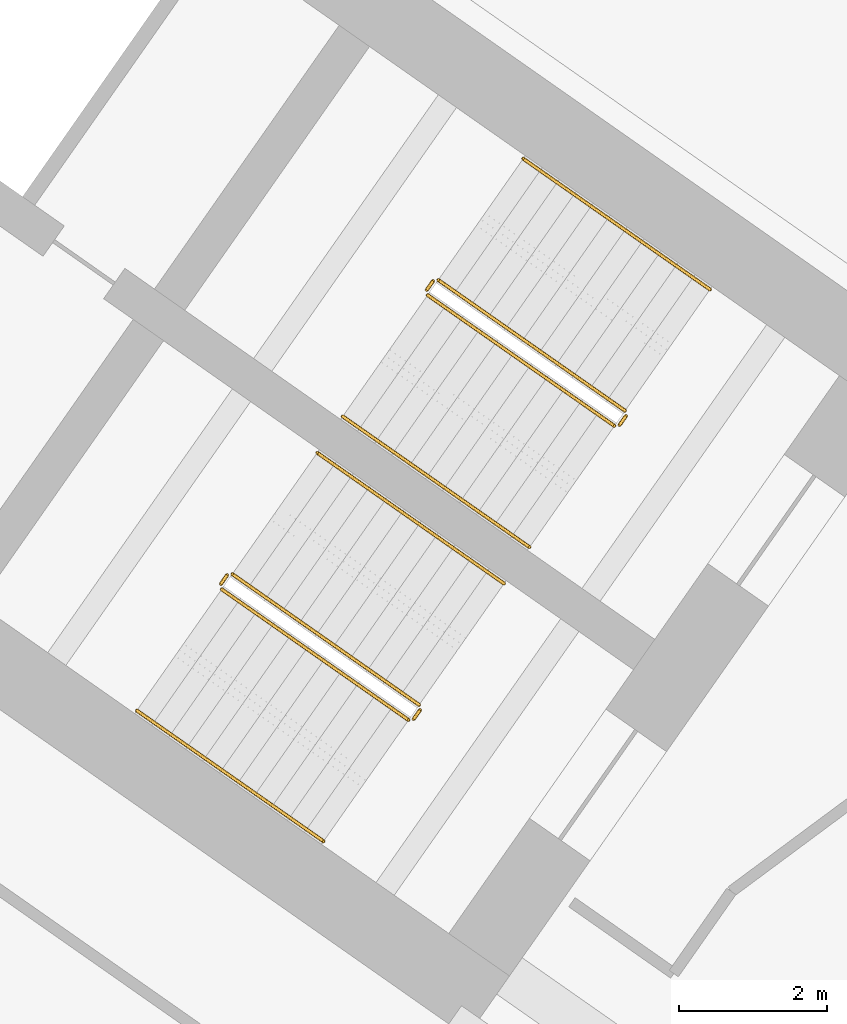
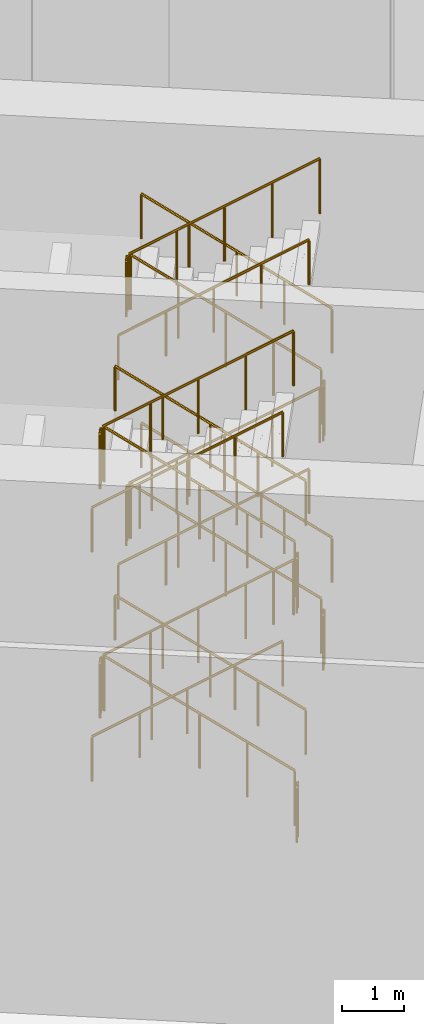
# One storey, part 26 of 27: 24 railings.
"""IFC4 building model written with IfcOpenShell, lengths in metres."""

from ifc_helpers import new_model, si_unit, direction, frame, origin, origin_2d, place, context, subcontext, project, spatial, circle, extrude, material, type_object, element, save


model = new_model("IFC4")

# Units and contexts
model_context = context("Model", 3, precision=1e-05, world=origin(), true_north=direction((0.0, 1.0)))
body_context = subcontext(model_context, "Body", "Model", "MODEL_VIEW")
ifc_project = project(units=[si_unit("LENGTHUNIT", "METRE"), si_unit("AREAUNIT", "SQUARE_METRE"), si_unit("VOLUMEUNIT", "CUBIC_METRE"), si_unit("PLANEANGLEUNIT", "RADIAN"), si_unit("MASSUNIT", "GRAM", prefix="KILO")], contexts=[model_context])

# Site, building, storey
site_placement = place(None, origin())
site = spatial("IfcSite", under=ifc_project, at=site_placement, CompositionType="ELEMENT")
building_placement = place(site_placement, origin())
building = spatial("IfcBuilding", under=site, at=building_placement, Name="Tel Ilan Convention Tower", CompositionType="ELEMENT")
storey_placement = place(building_placement, frame((0.0, 0.0, 9.0)))
storey = spatial("IfcBuildingStorey", under=building, at=storey_placement, Name="L01", CompositionType="ELEMENT", Elevation=9.0)

# Railings
ifc_material_1 = material(Name="Stainless Steel Grade 316", Category="steel")
railing_type_1 = type_object("IfcRailingType", Name="Stainless Steel Stair Guard 1100 mm", PredefinedType="GUARDRAIL", material=ifc_material_1)
railing_1_placement = place(storey_placement, frame((23.6787109375, -7.8515625, 0.1875)))
element("IfcRailing", 1, at=railing_1_placement, inside=storey, type_object=railing_type_1, Name="L01 S3 stair guard 1", PredefinedType="GUARDRAIL", context=body_context, shape_type="SweptSolid", body=[
    extrude(circle(Radius=0.02392578125, at=origin_2d()), frame((0.0, 0.0, 1.076171875), z_axis=(-0.680634867305, 0.476589307124, 0.556416040158), x_axis=(-0.573579377721, -0.819149984711, 0.0)), (0.0, 0.0, 1.0), 3.706787109375),
    extrude(circle(Radius=0.02099609375, at=origin_2d()), origin(), (0.0, 0.0, 1.0), 1.052001953125),
    extrude(circle(Radius=0.02099609375, at=origin_2d()), frame((-0.630859375, 0.441650390625, 0.515625)), (0.0, 0.0, 1.0), 1.052001953125),
    extrude(circle(Radius=0.02099609375, at=origin_2d()), frame((-1.261474609375, 0.88330078125, 1.03125)), (0.0, 0.0, 1.0), 1.052001953125),
    extrude(circle(Radius=0.02099609375, at=origin_2d()), frame((-1.89208984375, 1.324951171875, 1.546875)), (0.0, 0.0, 1.0), 1.052001953125),
    extrude(circle(Radius=0.02099609375, at=origin_2d()), frame((-2.52294921875, 1.7666015625, 2.0625)), (0.0, 0.0, 1.0), 1.052001953125),
])
railing_2_placement = place(storey_placement, frame((21.086181640625, -6.09716796875, 2.25)))
element("IfcRailing", 2, at=railing_2_placement, inside=storey, type_object=railing_type_1, Name="L01 S3 stair guard 2", PredefinedType="GUARDRAIL", context=body_context, shape_type="SweptSolid", body=[
    extrude(circle(Radius=0.02392578125, at=origin_2d()), frame((0.0, 0.0, 1.076171875), z_axis=(-0.573353020881, -0.819308436089, 0.0), x_axis=(0.819308436089, -0.573353020881, 0.0)), (0.0, 0.0, 1.0), 0.14990234375),
    extrude(circle(Radius=0.02099609375, at=origin_2d()), origin(), (0.0, 0.0, 1.0), 1.052001953125),
    extrude(circle(Radius=0.02099609375, at=origin_2d()), frame((-0.0859375, -0.122802734375, 0.0)), (0.0, 0.0, 1.0), 1.052001953125),
])
railing_3_placement = place(storey_placement, frame((21.012451171875, -6.289794921875, 2.4375)))
element("IfcRailing", 3, at=railing_3_placement, inside=storey, type_object=railing_type_1, Name="L01 S3 stair guard 3", PredefinedType="GUARDRAIL", context=body_context, shape_type="SweptSolid", body=[
    extrude(circle(Radius=0.02392578125, at=origin_2d()), frame((0.0, 0.0, 1.076171875), z_axis=(0.680634867305, -0.476589307124, 0.556416040158), x_axis=(0.573579377721, 0.819149984711, 0.0)), (0.0, 0.0, 1.0), 3.706787109375),
    extrude(circle(Radius=0.02099609375, at=origin_2d()), origin(), (0.0, 0.0, 1.0), 1.052001953125),
    extrude(circle(Radius=0.02099609375, at=origin_2d()), frame((0.630859375, -0.441650390625, 0.515625)), (0.0, 0.0, 1.0), 1.052001953125),
    extrude(circle(Radius=0.02099609375, at=origin_2d()), frame((1.261474609375, -0.88330078125, 1.03125)), (0.0, 0.0, 1.0), 1.052001953125),
    extrude(circle(Radius=0.02099609375, at=origin_2d()), frame((1.89208984375, -1.324951171875, 1.546875)), (0.0, 0.0, 1.0), 1.052001953125),
    extrude(circle(Radius=0.02099609375, at=origin_2d()), frame((2.52294921875, -1.7666015625, 2.0625)), (0.0, 0.0, 1.0), 1.052001953125),
])
railing_4_placement = place(storey_placement, frame((23.691162109375, -7.921142578125, 4.5)))
element("IfcRailing", 4, at=railing_4_placement, inside=storey, type_object=railing_type_1, Name="L01 S3 stair guard 4", PredefinedType="GUARDRAIL", context=body_context, shape_type="SweptSolid", body=[
    extrude(circle(Radius=0.02392578125, at=origin_2d()), frame((0.0, 0.0, 1.076171875), z_axis=(-0.574444878118, -0.818543268254, 0.0), x_axis=(0.818543268254, -0.574444878118, 0.0)), (0.0, 0.0, 1.0), 0.150146484375),
    extrude(circle(Radius=0.02099609375, at=origin_2d()), origin(), (0.0, 0.0, 1.0), 1.052001953125),
    extrude(circle(Radius=0.02099609375, at=origin_2d()), frame((-0.086181640625, -0.122802734375, 0.0)), (0.0, 0.0, 1.0), 1.052001953125),
])
railing_5_placement = place(storey_placement, frame((23.6787109375, -7.8515625, 4.6875)))
element("IfcRailing", 5, at=railing_5_placement, inside=storey, type_object=railing_type_1, Name="L01 S3 stair guard 5", PredefinedType="GUARDRAIL", context=body_context, shape_type="SweptSolid", body=[
    extrude(circle(Radius=0.02392578125, at=origin_2d()), frame((0.0, 0.0, 1.076171875), z_axis=(-0.680634867305, 0.476589307124, 0.556416040158), x_axis=(-0.573579377721, -0.819149984711, 0.0)), (0.0, 0.0, 1.0), 3.706787109375),
    extrude(circle(Radius=0.02099609375, at=origin_2d()), origin(), (0.0, 0.0, 1.0), 1.052001953125),
    extrude(circle(Radius=0.02099609375, at=origin_2d()), frame((-0.630859375, 0.441650390625, 0.515625)), (0.0, 0.0, 1.0), 1.052001953125),
    extrude(circle(Radius=0.02099609375, at=origin_2d()), frame((-1.261474609375, 0.88330078125, 1.03125)), (0.0, 0.0, 1.0), 1.052001953125),
    extrude(circle(Radius=0.02099609375, at=origin_2d()), frame((-1.89208984375, 1.324951171875, 1.546875)), (0.0, 0.0, 1.0), 1.052001953125),
    extrude(circle(Radius=0.02099609375, at=origin_2d()), frame((-2.52294921875, 1.7666015625, 2.0625)), (0.0, 0.0, 1.0), 1.052001953125),
])
railing_6_placement = place(storey_placement, frame((21.086181640625, -6.09716796875, 6.75)))
element("IfcRailing", 6, at=railing_6_placement, inside=storey, type_object=railing_type_1, Name="L01 S3 stair guard 6", PredefinedType="GUARDRAIL", context=body_context, shape_type="SweptSolid", body=[
    extrude(circle(Radius=0.02392578125, at=origin_2d()), frame((0.0, 0.0, 1.076171875), z_axis=(-0.573353020881, -0.819308436089, 0.0), x_axis=(0.819308436089, -0.573353020881, 0.0)), (0.0, 0.0, 1.0), 0.14990234375),
    extrude(circle(Radius=0.02099609375, at=origin_2d()), origin(), (0.0, 0.0, 1.0), 1.052001953125),
    extrude(circle(Radius=0.02099609375, at=origin_2d()), frame((-0.0859375, -0.122802734375, 0.0)), (0.0, 0.0, 1.0), 1.052001953125),
])
railing_7_placement = place(storey_placement, frame((21.012451171875, -6.289794921875, 6.9375)))
element("IfcRailing", 7, at=railing_7_placement, inside=storey, type_object=railing_type_1, Name="L01 S3 stair guard 7", PredefinedType="GUARDRAIL", context=body_context, shape_type="SweptSolid", body=[
    extrude(circle(Radius=0.02392578125, at=origin_2d()), frame((0.0, 0.0, 1.076171875), z_axis=(0.680634867305, -0.476589307124, 0.556416040158), x_axis=(0.573579377721, 0.819149984711, 0.0)), (0.0, 0.0, 1.0), 3.706787109375),
    extrude(circle(Radius=0.02099609375, at=origin_2d()), origin(), (0.0, 0.0, 1.0), 1.052001953125),
    extrude(circle(Radius=0.02099609375, at=origin_2d()), frame((0.630859375, -0.441650390625, 0.515625)), (0.0, 0.0, 1.0), 1.052001953125),
    extrude(circle(Radius=0.02099609375, at=origin_2d()), frame((1.261474609375, -0.88330078125, 1.03125)), (0.0, 0.0, 1.0), 1.052001953125),
    extrude(circle(Radius=0.02099609375, at=origin_2d()), frame((1.89208984375, -1.324951171875, 1.546875)), (0.0, 0.0, 1.0), 1.052001953125),
    extrude(circle(Radius=0.02099609375, at=origin_2d()), frame((2.52294921875, -1.7666015625, 2.0625)), (0.0, 0.0, 1.0), 1.052001953125),
])
railing_8_placement = place(storey_placement, frame((23.691162109375, -7.921142578125, 0.0)))
element("IfcRailing", 8, at=railing_8_placement, inside=storey, type_object=railing_type_1, Name="L01 S3 stair guard 8", PredefinedType="GUARDRAIL", context=body_context, shape_type="SweptSolid", body=[
    extrude(circle(Radius=0.02392578125, at=origin_2d()), frame((0.0, 0.0, 1.076171875), z_axis=(-0.574444878118, -0.818543268254, 0.0), x_axis=(0.818543268254, -0.574444878118, 0.0)), (0.0, 0.0, 1.0), 0.150146484375),
    extrude(circle(Radius=0.02099609375, at=origin_2d()), origin(), (0.0, 0.0, 1.0), 1.052001953125),
    extrude(circle(Radius=0.02099609375, at=origin_2d()), frame((-0.086181640625, -0.122802734375, 0.0)), (0.0, 0.0, 1.0), 1.052001953125),
])
railing_9_placement = place(storey_placement, frame((20.89697265625, -11.824462890625, 0.1875)))
element("IfcRailing", 9, at=railing_9_placement, inside=storey, type_object=railing_type_1, Name="L01 S4 stair guard 1", PredefinedType="GUARDRAIL", context=body_context, shape_type="SweptSolid", body=[
    extrude(circle(Radius=0.02392578125, at=origin_2d()), frame((0.0, 0.0, 1.076171875), z_axis=(-0.680634867305, 0.476589307124, 0.556416040158), x_axis=(-0.573579377721, -0.819149984711, 0.0)), (0.0, 0.0, 1.0), 3.706787109375),
    extrude(circle(Radius=0.02099609375, at=origin_2d()), origin(), (0.0, 0.0, 1.0), 1.052001953125),
    extrude(circle(Radius=0.02099609375, at=origin_2d()), frame((-0.630859375, 0.441650390625, 0.515625)), (0.0, 0.0, 1.0), 1.052001953125),
    extrude(circle(Radius=0.02099609375, at=origin_2d()), frame((-1.261474609375, 0.88330078125, 1.03125)), (0.0, 0.0, 1.0), 1.052001953125),
    extrude(circle(Radius=0.02099609375, at=origin_2d()), frame((-1.89208984375, 1.324951171875, 1.546875)), (0.0, 0.0, 1.0), 1.052001953125),
    extrude(circle(Radius=0.02099609375, at=origin_2d()), frame((-2.52294921875, 1.7666015625, 2.0625)), (0.0, 0.0, 1.0), 1.052001953125),
])
railing_10_placement = place(storey_placement, frame((18.304443359375, -10.070068359375, 2.25)))
element("IfcRailing", 10, at=railing_10_placement, inside=storey, type_object=railing_type_1, Name="L01 S4 stair guard 2", PredefinedType="GUARDRAIL", context=body_context, shape_type="SweptSolid", body=[
    extrude(circle(Radius=0.02392578125, at=origin_2d()), frame((0.0, 0.0, 1.076171875), z_axis=(-0.574444878118, -0.818543268254, 0.0), x_axis=(0.818543268254, -0.574444878118, 0.0)), (0.0, 0.0, 1.0), 0.150146484375),
    extrude(circle(Radius=0.02099609375, at=origin_2d()), origin(), (0.0, 0.0, 1.0), 1.052001953125),
    extrude(circle(Radius=0.02099609375, at=origin_2d()), frame((-0.086181640625, -0.122802734375, 0.0)), (0.0, 0.0, 1.0), 1.052001953125),
])
railing_11_placement = place(storey_placement, frame((18.23046875, -10.2626953125, 2.4375)))
element("IfcRailing", 11, at=railing_11_placement, inside=storey, type_object=railing_type_1, Name="L01 S4 stair guard 3", PredefinedType="GUARDRAIL", context=body_context, shape_type="SweptSolid", body=[
    extrude(circle(Radius=0.02392578125, at=origin_2d()), frame((0.0, 0.0, 1.076171875), z_axis=(0.680670216326, -0.476567942461, 0.556391097003), x_axis=(0.573542135923, 0.819176060637, 0.0)), (0.0, 0.0, 1.0), 3.70703125),
    extrude(circle(Radius=0.02099609375, at=origin_2d()), origin(), (0.0, 0.0, 1.0), 1.052001953125),
    extrude(circle(Radius=0.02099609375, at=origin_2d()), frame((0.630859375, -0.441650390625, 0.515625)), (0.0, 0.0, 1.0), 1.052001953125),
    extrude(circle(Radius=0.02099609375, at=origin_2d()), frame((1.26171875, -0.88330078125, 1.03125)), (0.0, 0.0, 1.0), 1.052001953125),
    extrude(circle(Radius=0.02099609375, at=origin_2d()), frame((1.892333984375, -1.324951171875, 1.546875)), (0.0, 0.0, 1.0), 1.052001953125),
    extrude(circle(Radius=0.02099609375, at=origin_2d()), frame((2.523193359375, -1.7666015625, 2.0625)), (0.0, 0.0, 1.0), 1.052001953125),
])
railing_12_placement = place(storey_placement, frame((20.9091796875, -11.89404296875, 4.5)))
element("IfcRailing", 12, at=railing_12_placement, inside=storey, type_object=railing_type_1, Name="L01 S4 stair guard 4", PredefinedType="GUARDRAIL", context=body_context, shape_type="SweptSolid", body=[
    extrude(circle(Radius=0.02392578125, at=origin_2d()), frame((0.0, 0.0, 1.076171875), z_axis=(-0.573353020881, -0.819308436089, 0.0), x_axis=(0.819308436089, -0.573353020881, 0.0)), (0.0, 0.0, 1.0), 0.14990234375),
    extrude(circle(Radius=0.02099609375, at=origin_2d()), origin(), (0.0, 0.0, 1.0), 1.052001953125),
    extrude(circle(Radius=0.02099609375, at=origin_2d()), frame((-0.0859375, -0.122802734375, 0.0)), (0.0, 0.0, 1.0), 1.052001953125),
])
railing_13_placement = place(storey_placement, frame((20.89697265625, -11.824462890625, 4.6875)))
element("IfcRailing", 13, at=railing_13_placement, inside=storey, type_object=railing_type_1, Name="L01 S4 stair guard 5", PredefinedType="GUARDRAIL", context=body_context, shape_type="SweptSolid", body=[
    extrude(circle(Radius=0.02392578125, at=origin_2d()), frame((0.0, 0.0, 1.076171875), z_axis=(-0.680634867305, 0.476589307124, 0.556416040158), x_axis=(-0.573579377721, -0.819149984711, 0.0)), (0.0, 0.0, 1.0), 3.706787109375),
    extrude(circle(Radius=0.02099609375, at=origin_2d()), origin(), (0.0, 0.0, 1.0), 1.052001953125),
    extrude(circle(Radius=0.02099609375, at=origin_2d()), frame((-0.630859375, 0.441650390625, 0.515625)), (0.0, 0.0, 1.0), 1.052001953125),
    extrude(circle(Radius=0.02099609375, at=origin_2d()), frame((-1.261474609375, 0.88330078125, 1.03125)), (0.0, 0.0, 1.0), 1.052001953125),
    extrude(circle(Radius=0.02099609375, at=origin_2d()), frame((-1.89208984375, 1.324951171875, 1.546875)), (0.0, 0.0, 1.0), 1.052001953125),
    extrude(circle(Radius=0.02099609375, at=origin_2d()), frame((-2.52294921875, 1.7666015625, 2.0625)), (0.0, 0.0, 1.0), 1.052001953125),
])
railing_14_placement = place(storey_placement, frame((18.304443359375, -10.070068359375, 6.75)))
element("IfcRailing", 14, at=railing_14_placement, inside=storey, type_object=railing_type_1, Name="L01 S4 stair guard 6", PredefinedType="GUARDRAIL", context=body_context, shape_type="SweptSolid", body=[
    extrude(circle(Radius=0.02392578125, at=origin_2d()), frame((0.0, 0.0, 1.076171875), z_axis=(-0.574444878118, -0.818543268254, 0.0), x_axis=(0.818543268254, -0.574444878118, 0.0)), (0.0, 0.0, 1.0), 0.150146484375),
    extrude(circle(Radius=0.02099609375, at=origin_2d()), origin(), (0.0, 0.0, 1.0), 1.052001953125),
    extrude(circle(Radius=0.02099609375, at=origin_2d()), frame((-0.086181640625, -0.122802734375, 0.0)), (0.0, 0.0, 1.0), 1.052001953125),
])
railing_15_placement = place(storey_placement, frame((18.23046875, -10.2626953125, 6.9375)))
element("IfcRailing", 15, at=railing_15_placement, inside=storey, type_object=railing_type_1, Name="L01 S4 stair guard 7", PredefinedType="GUARDRAIL", context=body_context, shape_type="SweptSolid", body=[
    extrude(circle(Radius=0.02392578125, at=origin_2d()), frame((0.0, 0.0, 1.076171875), z_axis=(0.680670216326, -0.476567942461, 0.556391097003), x_axis=(0.573542135923, 0.819176060637, 0.0)), (0.0, 0.0, 1.0), 3.70703125),
    extrude(circle(Radius=0.02099609375, at=origin_2d()), origin(), (0.0, 0.0, 1.0), 1.052001953125),
    extrude(circle(Radius=0.02099609375, at=origin_2d()), frame((0.630859375, -0.441650390625, 0.515625)), (0.0, 0.0, 1.0), 1.052001953125),
    extrude(circle(Radius=0.02099609375, at=origin_2d()), frame((1.26171875, -0.88330078125, 1.03125)), (0.0, 0.0, 1.0), 1.052001953125),
    extrude(circle(Radius=0.02099609375, at=origin_2d()), frame((1.892333984375, -1.324951171875, 1.546875)), (0.0, 0.0, 1.0), 1.052001953125),
    extrude(circle(Radius=0.02099609375, at=origin_2d()), frame((2.523193359375, -1.7666015625, 2.0625)), (0.0, 0.0, 1.0), 1.052001953125),
])
railing_16_placement = place(storey_placement, frame((20.9091796875, -11.89404296875, 0.0)))
element("IfcRailing", 16, at=railing_16_placement, inside=storey, type_object=railing_type_1, Name="L01 S4 stair guard 8", PredefinedType="GUARDRAIL", context=body_context, shape_type="SweptSolid", body=[
    extrude(circle(Radius=0.02392578125, at=origin_2d()), frame((0.0, 0.0, 1.076171875), z_axis=(-0.573353020881, -0.819308436089, 0.0), x_axis=(0.819308436089, -0.573353020881, 0.0)), (0.0, 0.0, 1.0), 0.14990234375),
    extrude(circle(Radius=0.02099609375, at=origin_2d()), origin(), (0.0, 0.0, 1.0), 1.052001953125),
    extrude(circle(Radius=0.02099609375, at=origin_2d()), frame((-0.0859375, -0.122802734375, 0.0)), (0.0, 0.0, 1.0), 1.052001953125),
])
ifc_material_2 = material(Name="Stainless Steel Grade 316", Category="steel")
railing_type_2 = type_object("IfcRailingType", Name="Stainless Steel Stair Handrail 900 mm", PredefinedType="HANDRAIL", material=ifc_material_2)
railing_17_placement = place(storey_placement, frame((24.825927734375, -6.213134765625, 0.1875)))
element("IfcRailing", 17, at=railing_17_placement, inside=storey, type_object=railing_type_2, Name="L01 S3 stair handrail 1", PredefinedType="HANDRAIL", context=body_context, shape_type="SweptSolid", body=[
    extrude(circle(Radius=0.02392578125, at=origin_2d()), frame((0.0, 0.0, 0.8759765625), z_axis=(-0.680634867305, 0.476589307124, 0.556416040158), x_axis=(-0.573579377721, -0.819149984711, 0.0)), (0.0, 0.0, 1.0), 3.706787109375),
    extrude(circle(Radius=0.02099609375, at=origin_2d()), origin(), (0.0, 0.0, 1.0), 0.851806640625),
    extrude(circle(Radius=0.02099609375, at=origin_2d()), frame((-0.630859375, 0.441650390625, 0.515625)), (0.0, 0.0, 1.0), 0.851806640625),
    extrude(circle(Radius=0.02099609375, at=origin_2d()), frame((-1.261474609375, 0.88330078125, 1.03125)), (0.0, 0.0, 1.0), 0.851806640625),
    extrude(circle(Radius=0.02099609375, at=origin_2d()), frame((-1.89208984375, 1.324951171875, 1.546875)), (0.0, 0.0, 1.0), 0.851806640625),
    extrude(circle(Radius=0.02099609375, at=origin_2d()), frame((-2.52294921875, 1.7666015625, 2.0625)), (0.0, 0.0, 1.0), 0.851806640625),
])
railing_18_placement = place(storey_placement, frame((19.865234375, -7.927978515625, 2.4375)))
element("IfcRailing", 18, at=railing_18_placement, inside=storey, type_object=railing_type_2, Name="L01 S3 stair handrail 2", PredefinedType="HANDRAIL", context=body_context, shape_type="SweptSolid", body=[
    extrude(circle(Radius=0.02392578125, at=origin_2d()), frame((0.0, 0.0, 0.8759765625), z_axis=(0.680634867305, -0.476589307124, 0.556416040158), x_axis=(0.573579377721, 0.819149984711, 0.0)), (0.0, 0.0, 1.0), 3.706787109375),
    extrude(circle(Radius=0.02099609375, at=origin_2d()), origin(), (0.0, 0.0, 1.0), 0.851806640625),
    extrude(circle(Radius=0.02099609375, at=origin_2d()), frame((0.630859375, -0.441650390625, 0.515625)), (0.0, 0.0, 1.0), 0.851806640625),
    extrude(circle(Radius=0.02099609375, at=origin_2d()), frame((1.261474609375, -0.88330078125, 1.03125)), (0.0, 0.0, 1.0), 0.851806640625),
    extrude(circle(Radius=0.02099609375, at=origin_2d()), frame((1.89208984375, -1.324951171875, 1.546875)), (0.0, 0.0, 1.0), 0.851806640625),
    extrude(circle(Radius=0.02099609375, at=origin_2d()), frame((2.52294921875, -1.7666015625, 2.0625)), (0.0, 0.0, 1.0), 0.851806640625),
])
railing_19_placement = place(storey_placement, frame((24.825927734375, -6.213134765625, 4.6875)))
element("IfcRailing", 19, at=railing_19_placement, inside=storey, type_object=railing_type_2, Name="L01 S3 stair handrail 3", PredefinedType="HANDRAIL", context=body_context, shape_type="SweptSolid", body=[
    extrude(circle(Radius=0.02392578125, at=origin_2d()), frame((0.0, 0.0, 0.8759765625), z_axis=(-0.680634867305, 0.476589307124, 0.556416040158), x_axis=(-0.573579377721, -0.819149984711, 0.0)), (0.0, 0.0, 1.0), 3.706787109375),
    extrude(circle(Radius=0.02099609375, at=origin_2d()), origin(), (0.0, 0.0, 1.0), 0.851806640625),
    extrude(circle(Radius=0.02099609375, at=origin_2d()), frame((-0.630859375, 0.441650390625, 0.515625)), (0.0, 0.0, 1.0), 0.851806640625),
    extrude(circle(Radius=0.02099609375, at=origin_2d()), frame((-1.261474609375, 0.88330078125, 1.03125)), (0.0, 0.0, 1.0), 0.851806640625),
    extrude(circle(Radius=0.02099609375, at=origin_2d()), frame((-1.89208984375, 1.324951171875, 1.546875)), (0.0, 0.0, 1.0), 0.851806640625),
    extrude(circle(Radius=0.02099609375, at=origin_2d()), frame((-2.52294921875, 1.7666015625, 2.0625)), (0.0, 0.0, 1.0), 0.851806640625),
])
railing_20_placement = place(storey_placement, frame((19.865234375, -7.927978515625, 6.9375)))
element("IfcRailing", 20, at=railing_20_placement, inside=storey, type_object=railing_type_2, Name="L01 S3 stair handrail 4", PredefinedType="HANDRAIL", context=body_context, shape_type="SweptSolid", body=[
    extrude(circle(Radius=0.02392578125, at=origin_2d()), frame((0.0, 0.0, 0.8759765625), z_axis=(0.680634867305, -0.476589307124, 0.556416040158), x_axis=(0.573579377721, 0.819149984711, 0.0)), (0.0, 0.0, 1.0), 3.706787109375),
    extrude(circle(Radius=0.02099609375, at=origin_2d()), origin(), (0.0, 0.0, 1.0), 0.851806640625),
    extrude(circle(Radius=0.02099609375, at=origin_2d()), frame((0.630859375, -0.441650390625, 0.515625)), (0.0, 0.0, 1.0), 0.851806640625),
    extrude(circle(Radius=0.02099609375, at=origin_2d()), frame((1.261474609375, -0.88330078125, 1.03125)), (0.0, 0.0, 1.0), 0.851806640625),
    extrude(circle(Radius=0.02099609375, at=origin_2d()), frame((1.89208984375, -1.324951171875, 1.546875)), (0.0, 0.0, 1.0), 0.851806640625),
    extrude(circle(Radius=0.02099609375, at=origin_2d()), frame((2.52294921875, -1.7666015625, 2.0625)), (0.0, 0.0, 1.0), 0.851806640625),
])
railing_21_placement = place(storey_placement, frame((22.044189453125, -10.18603515625, 0.1875)))
element("IfcRailing", 21, at=railing_21_placement, inside=storey, type_object=railing_type_2, Name="L01 S4 stair handrail 1", PredefinedType="HANDRAIL", context=body_context, shape_type="SweptSolid", body=[
    extrude(circle(Radius=0.02392578125, at=origin_2d()), frame((0.0, 0.0, 0.8759765625), z_axis=(-0.680634867305, 0.476589307124, 0.556416040158), x_axis=(-0.573579377721, -0.819149984711, 0.0)), (0.0, 0.0, 1.0), 3.706787109375),
    extrude(circle(Radius=0.02099609375, at=origin_2d()), origin(), (0.0, 0.0, 1.0), 0.851806640625),
    extrude(circle(Radius=0.02099609375, at=origin_2d()), frame((-0.630859375, 0.441650390625, 0.515625)), (0.0, 0.0, 1.0), 0.851806640625),
    extrude(circle(Radius=0.02099609375, at=origin_2d()), frame((-1.261474609375, 0.88330078125, 1.03125)), (0.0, 0.0, 1.0), 0.851806640625),
    extrude(circle(Radius=0.02099609375, at=origin_2d()), frame((-1.89208984375, 1.324951171875, 1.546875)), (0.0, 0.0, 1.0), 0.851806640625),
    extrude(circle(Radius=0.02099609375, at=origin_2d()), frame((-2.52294921875, 1.7666015625, 2.0625)), (0.0, 0.0, 1.0), 0.851806640625),
])
railing_22_placement = place(storey_placement, frame((17.08349609375, -11.90087890625, 2.4375)))
element("IfcRailing", 22, at=railing_22_placement, inside=storey, type_object=railing_type_2, Name="L01 S4 stair handrail 2", PredefinedType="HANDRAIL", context=body_context, shape_type="SweptSolid", body=[
    extrude(circle(Radius=0.02392578125, at=origin_2d()), frame((0.0, 0.0, 0.8759765625), z_axis=(0.680634867305, -0.476589307124, 0.556416040158), x_axis=(0.573579377721, 0.819149984711, 0.0)), (0.0, 0.0, 1.0), 3.706787109375),
    extrude(circle(Radius=0.02099609375, at=origin_2d()), origin(), (0.0, 0.0, 1.0), 0.851806640625),
    extrude(circle(Radius=0.02099609375, at=origin_2d()), frame((0.630859375, -0.441650390625, 0.515625)), (0.0, 0.0, 1.0), 0.851806640625),
    extrude(circle(Radius=0.02099609375, at=origin_2d()), frame((1.261474609375, -0.88330078125, 1.03125)), (0.0, 0.0, 1.0), 0.851806640625),
    extrude(circle(Radius=0.02099609375, at=origin_2d()), frame((1.89208984375, -1.324951171875, 1.546875)), (0.0, 0.0, 1.0), 0.851806640625),
    extrude(circle(Radius=0.02099609375, at=origin_2d()), frame((2.52294921875, -1.7666015625, 2.0625)), (0.0, 0.0, 1.0), 0.851806640625),
])
railing_23_placement = place(storey_placement, frame((22.044189453125, -10.18603515625, 4.6875)))
element("IfcRailing", 23, at=railing_23_placement, inside=storey, type_object=railing_type_2, Name="L01 S4 stair handrail 3", PredefinedType="HANDRAIL", context=body_context, shape_type="SweptSolid", body=[
    extrude(circle(Radius=0.02392578125, at=origin_2d()), frame((0.0, 0.0, 0.8759765625), z_axis=(-0.680634867305, 0.476589307124, 0.556416040158), x_axis=(-0.573579377721, -0.819149984711, 0.0)), (0.0, 0.0, 1.0), 3.706787109375),
    extrude(circle(Radius=0.02099609375, at=origin_2d()), origin(), (0.0, 0.0, 1.0), 0.851806640625),
    extrude(circle(Radius=0.02099609375, at=origin_2d()), frame((-0.630859375, 0.441650390625, 0.515625)), (0.0, 0.0, 1.0), 0.851806640625),
    extrude(circle(Radius=0.02099609375, at=origin_2d()), frame((-1.261474609375, 0.88330078125, 1.03125)), (0.0, 0.0, 1.0), 0.851806640625),
    extrude(circle(Radius=0.02099609375, at=origin_2d()), frame((-1.89208984375, 1.324951171875, 1.546875)), (0.0, 0.0, 1.0), 0.851806640625),
    extrude(circle(Radius=0.02099609375, at=origin_2d()), frame((-2.52294921875, 1.7666015625, 2.0625)), (0.0, 0.0, 1.0), 0.851806640625),
])
railing_24_placement = place(storey_placement, frame((17.08349609375, -11.90087890625, 6.9375)))
element("IfcRailing", 24, at=railing_24_placement, inside=storey, type_object=railing_type_2, Name="L01 S4 stair handrail 4", PredefinedType="HANDRAIL", context=body_context, shape_type="SweptSolid", body=[
    extrude(circle(Radius=0.02392578125, at=origin_2d()), frame((0.0, 0.0, 0.8759765625), z_axis=(0.680634867305, -0.476589307124, 0.556416040158), x_axis=(0.573579377721, 0.819149984711, 0.0)), (0.0, 0.0, 1.0), 3.706787109375),
    extrude(circle(Radius=0.02099609375, at=origin_2d()), origin(), (0.0, 0.0, 1.0), 0.851806640625),
    extrude(circle(Radius=0.02099609375, at=origin_2d()), frame((0.630859375, -0.441650390625, 0.515625)), (0.0, 0.0, 1.0), 0.851806640625),
    extrude(circle(Radius=0.02099609375, at=origin_2d()), frame((1.261474609375, -0.88330078125, 1.03125)), (0.0, 0.0, 1.0), 0.851806640625),
    extrude(circle(Radius=0.02099609375, at=origin_2d()), frame((1.89208984375, -1.324951171875, 1.546875)), (0.0, 0.0, 1.0), 0.851806640625),
    extrude(circle(Radius=0.02099609375, at=origin_2d()), frame((2.52294921875, -1.7666015625, 2.0625)), (0.0, 0.0, 1.0), 0.851806640625),
])

save(model, "model.ifc")
